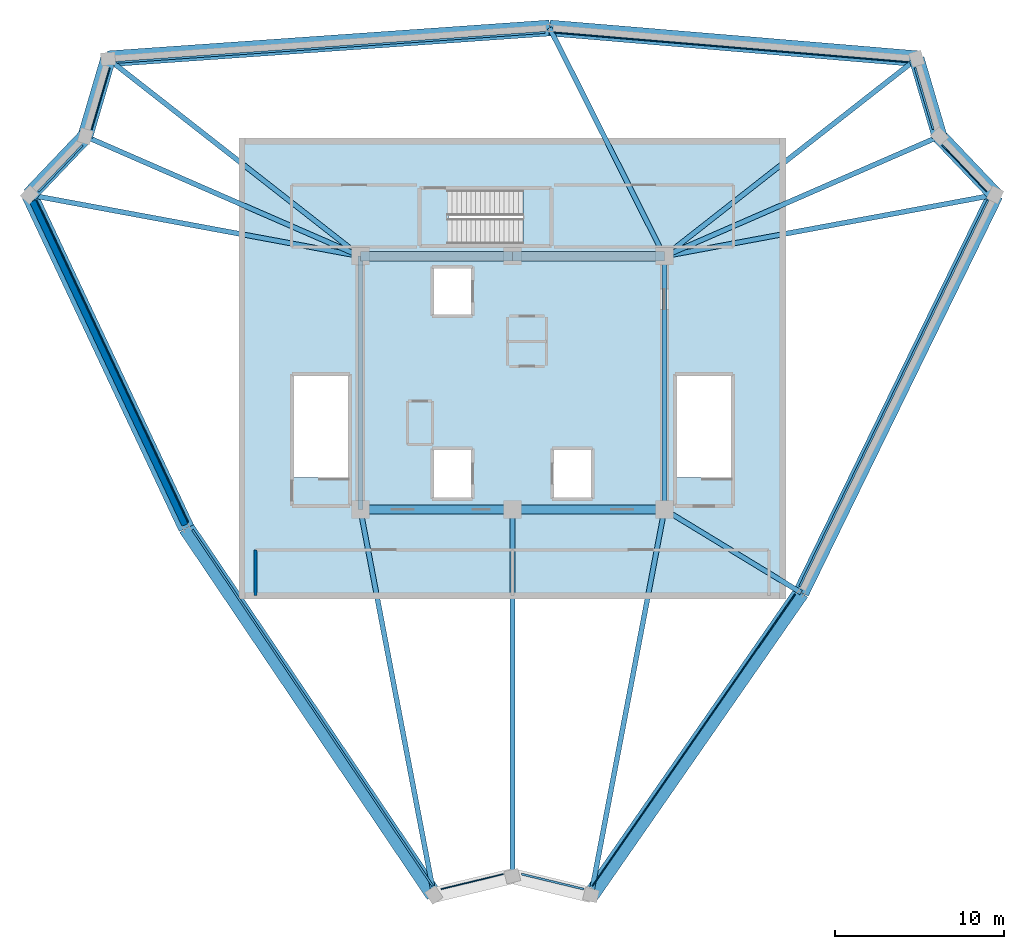
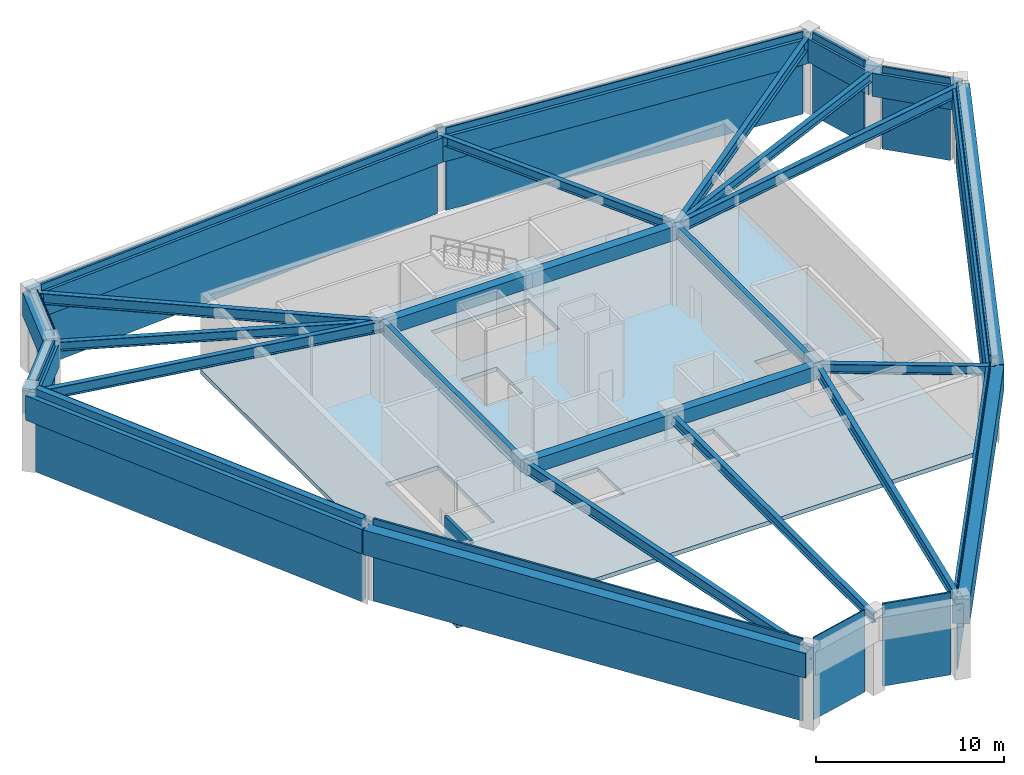
# One storey, part 3 of 6: 27 beams, 12 plates, 2 slabs, 2 walls, 1 element without a shape of its own.
"""IFC4 building model written with IfcOpenShell, lengths in metres."""

from ifc_helpers import new_model, si_unit, direction, frame, frame_2d, origin, origin_2d, place, context, subcontext, project, spatial, polyline, rectangle, i_section, outline, extrude, source, transform, mapped, material, layer, layer_set, material_profile, profile_set, type_object, element, aggregate, save


model = new_model("IFC4")

# Units and contexts
model_context = context("Model", 3, precision=1e-05, world=origin(), true_north=direction((0.0, 1.0)))
body_context = subcontext(model_context, "Body", "Model", "MODEL_VIEW")
ifc_project = project(units=[si_unit("LENGTHUNIT", "METRE"), si_unit("AREAUNIT", "SQUARE_METRE"), si_unit("VOLUMEUNIT", "CUBIC_METRE"), si_unit("PLANEANGLEUNIT", "RADIAN"), si_unit("MASSUNIT", "GRAM", prefix="KILO")], contexts=[model_context])

# Site, building, storey
site_placement = place(None, origin())
site = spatial("IfcSite", under=ifc_project, at=site_placement, CompositionType="ELEMENT")
building_placement = place(site_placement, origin())
building = spatial("IfcBuilding", under=site, at=building_placement, Name="Liaohun Quay Tower", CompositionType="ELEMENT")
storey_placement = place(building_placement, frame((0.0, 0.0, 366.0)))
storey = spatial("IfcBuildingStorey", under=building, at=storey_placement, Name="L94", CompositionType="ELEMENT", Elevation=366.0)

# Beams
ifc_material_1 = material(Name="Steel Q355D", Category="steel")
ifc_material_profile_1 = material_profile(ifc_material_1, i_section(OverallWidth=0.300048828125, OverallDepth=0.800048828125, WebThickness=0.013916015625, FlangeThickness=0.02587890625, at=origin_2d()), Name="HN800x300x14x26")
ifc_profile_set_1 = profile_set([ifc_material_profile_1], Name="Steel Q355D")
beam_type_1 = type_object("IfcBeamType", Name="BM-RAD-M1", PredefinedType="BEAM", material=ifc_profile_set_1)
shared_shape_1 = source(origin(), body_context, "Body", "SweptSolid", [
    extrude(i_section(OverallWidth=0.300048828125, OverallDepth=0.800048828125, WebThickness=0.013916015625, FlangeThickness=0.02587890625, at=origin_2d()), origin(), (0.0, 0.0, 1.0), 15.0),
])
for number, where, z_axis, x_axis, name in (
    (1, (69.0, 46.5, 4.550048828125), (0.0, 1.0, 0.0), (-1.0, 0.0, 0.0), "L94 Core Coupling/Ring Beam CC3-CC4"),
    (2, (51.0, 61.5, 4.550048828125), (0.0, -1.0, 0.0), (1.0, 0.0, 0.0), "L94 Core Coupling/Ring Beam CC6-CC1"),
):
    element("IfcBeam", number, at=place(storey_placement, frame(where, z_axis=z_axis, x_axis=x_axis)), inside=storey, type_object=beam_type_1, Name=name, PredefinedType="BEAM", context=body_context, shape_type="MappedRepresentation", body=[
        mapped(shared_shape_1, transform((0.0, 0.0, 0.0), x_axis=(1.0, 0.0, 0.0), y_axis=(0.0, 1.0, 0.0), z_axis=(0.0, 0.0, 1.0), scale=1.0)),
    ])
ifc_material_2 = material(Name="Concrete C55", Category="concrete")
ifc_material_profile_2 = material_profile(ifc_material_2, rectangle(XDim=0.550048828125, YDim=0.89990234375, at=origin_2d()), Name="RC550x900")
ifc_profile_set_2 = profile_set([ifc_material_profile_2], Name="Concrete C55")
beam_type_2 = type_object("IfcBeamType", Name="BM-CPL-2", PredefinedType="LINTEL", material=ifc_profile_set_2)
shared_shape_2 = source(origin(), body_context, "Body", "SweptSolid", [
    extrude(rectangle(XDim=0.550048828125, YDim=0.89990234375, at=origin_2d()), origin(), (0.0, 0.0, 1.0), 9.0),
])
for number, where, z_axis, x_axis, name in (
    (3, (51.0, 46.5, 4.5), (1.0, 0.0, 0.0), (0.0, 1.0, 0.0), "L94 Core Coupling/Ring Beam CC1-CC2"),
    (4, (60.0, 46.5, 4.5), (1.0, 0.0, 0.0), (0.0, 1.0, 0.0), "L94 Core Coupling/Ring Beam CC2-CC3"),
    (5, (69.0, 61.5, 4.5), (-1.0, 0.0, 0.0), (0.0, -1.0, 0.0), "L94 Core Coupling/Ring Beam CC4-CC5"),
    (6, (60.0, 61.5, 4.5), (-1.0, 0.0, 0.0), (0.0, -1.0, 0.0), "L94 Core Coupling/Ring Beam CC5-CC6"),
):
    element("IfcBeam", number, at=place(storey_placement, frame(where, z_axis=z_axis, x_axis=x_axis)), inside=storey, type_object=beam_type_2, Name=name, PredefinedType="LINTEL", context=body_context, shape_type="MappedRepresentation", body=[
        mapped(shared_shape_2, transform((0.0, 0.0, 0.0), x_axis=(1.0, 0.0, 0.0), y_axis=(0.0, 1.0, 0.0), z_axis=(0.0, 0.0, 1.0), scale=1.0)),
    ])
ifc_material_profile_3 = material_profile(ifc_material_2, rectangle(XDim=0.949951171875, YDim=1.60009765625, at=origin_2d()), Name="RC950x1600")
ifc_profile_set_3 = profile_set([ifc_material_profile_3], Name="Concrete C55")
beam_type_3 = type_object("IfcBeamType", Name="BM-CAN-LNG", PredefinedType="SPANDREL", material=ifc_profile_set_3)
shared_shape_3 = source(origin(), body_context, "Body", "SweptSolid", [
    extrude(rectangle(XDim=0.949951171875, YDim=1.60009765625, at=origin_2d()), origin(), (0.0, 0.0, 1.0), 26.20751953125),
])
beam_1_placement = place(storey_placement, frame((55.35400390625, 23.677978515625, 4.14990234375), z_axis=(-0.559191552836, 0.829038483568, 0.0), x_axis=(-0.829038483568, -0.559191552836, 0.0)))
element("IfcBeam", 7, at=beam_1_placement, inside=storey, type_object=beam_type_3, Name="L94 Precast Spandrel Beam PC01-PC02", PredefinedType="SPANDREL", context=body_context, shape_type="MappedRepresentation", body=[
    mapped(shared_shape_3, transform((0.0, 0.0, 0.0), x_axis=(1.0, 0.0, 0.0), y_axis=(0.0, 1.0, 0.0), z_axis=(0.0, 0.0, 1.0), scale=1.0)),
])
shared_shape_4 = source(origin(), body_context, "Body", "SweptSolid", [
    extrude(rectangle(XDim=0.949951171875, YDim=1.60009765625, at=origin_2d()), origin(), (0.0, 0.0, 1.0), 21.803466796875),
])
beam_2_placement = place(storey_placement, frame((40.698974609375, 45.405029296875, 4.14990234375), z_axis=(-0.425993313614, 0.904726310414, 0.0), x_axis=(-0.904726310414, -0.425993313614, 0.0)))
element("IfcBeam", 8, at=beam_2_placement, inside=storey, type_object=beam_type_3, Name="L94 Precast Spandrel Beam PC02-PC03", PredefinedType="SPANDREL", context=body_context, shape_type="MappedRepresentation", body=[
    mapped(shared_shape_4, transform((0.0, 0.0, 0.0), x_axis=(1.0, 0.0, 0.0), y_axis=(0.0, 1.0, 0.0), z_axis=(0.0, 0.0, 1.0), scale=1.0)),
])
ifc_material_profile_4 = material_profile(ifc_material_2, rectangle(XDim=0.89990234375, YDim=1.5, at=origin_2d()), Name="RC900x1500")
ifc_profile_set_4 = profile_set([ifc_material_profile_4], Name="Concrete C55")
beam_type_4 = type_object("IfcBeamType", Name="BM-CAN-RING", PredefinedType="BEAM", material=ifc_profile_set_4)
shared_shape_5 = source(origin(), body_context, "Body", "SweptSolid", [
    extrude(rectangle(XDim=0.89990234375, YDim=1.5, at=origin_2d()), origin(), (0.0, 0.0, 1.0), 4.78857421875),
])
beam_3_placement = place(storey_placement, frame((31.410888671875, 65.131103515625, 4.199951171875), z_axis=(0.689350846043, 0.724427643771, 0.0), x_axis=(-0.724427643771, 0.689350846043, 0.0)))
element("IfcBeam", 9, at=beam_3_placement, inside=storey, type_object=beam_type_4, Name="L94 Precast Spandrel Beam PC03-PC04", PredefinedType="BEAM", context=body_context, shape_type="MappedRepresentation", body=[
    mapped(shared_shape_5, transform((0.0, 0.0, 0.0), x_axis=(1.0, 0.0, 0.0), y_axis=(0.0, 1.0, 0.0), z_axis=(0.0, 0.0, 1.0), scale=1.0)),
])
shared_shape_6 = source(origin(), body_context, "Body", "SweptSolid", [
    extrude(rectangle(XDim=0.89990234375, YDim=1.5, at=origin_2d()), origin(), (0.0, 0.0, 1.0), 4.77978515625),
])
beam_4_placement = place(storey_placement, frame((34.7119140625, 68.60009765625, 4.199951171875), z_axis=(0.282658510174, 0.959220603733, 0.0), x_axis=(-0.959220603733, 0.282658510174, 0.0)))
element("IfcBeam", 10, at=beam_4_placement, inside=storey, type_object=beam_type_4, Name="L94 Precast Spandrel Beam PC04-PC05", PredefinedType="BEAM", context=body_context, shape_type="MappedRepresentation", body=[
    mapped(shared_shape_6, transform((0.0, 0.0, 0.0), x_axis=(1.0, 0.0, 0.0), y_axis=(0.0, 1.0, 0.0), z_axis=(0.0, 0.0, 1.0), scale=1.0)),
])
shared_shape_7 = source(origin(), body_context, "Body", "SweptSolid", [
    extrude(rectangle(XDim=0.949951171875, YDim=1.60009765625, at=origin_2d()), origin(), (0.0, 0.0, 1.0), 26.207763671875),
])
beam_5_placement = place(storey_placement, frame((36.06298828125, 73.18505859375, 4.14990234375), z_axis=(0.997564816794, 0.069745510929, 0.0), x_axis=(-0.069745510929, 0.997564816794, 0.0)))
element("IfcBeam", 11, at=beam_5_placement, inside=storey, type_object=beam_type_3, Name="L94 Precast Spandrel Beam PC05-PC06", PredefinedType="SPANDREL", context=body_context, shape_type="MappedRepresentation", body=[
    mapped(shared_shape_7, transform((0.0, 0.0, 0.0), x_axis=(1.0, 0.0, 0.0), y_axis=(0.0, 1.0, 0.0), z_axis=(0.0, 0.0, 1.0), scale=1.0)),
])
shared_shape_8 = source(origin(), body_context, "Body", "SweptSolid", [
    extrude(rectangle(XDim=0.949951171875, YDim=1.60009765625, at=origin_2d()), origin(), (0.0, 0.0, 1.0), 21.802978515625),
])
beam_6_placement = place(storey_placement, frame((62.20703125, 75.012939453125, 4.14990234375), z_axis=(0.996514334096, -0.083421711453, 0.0), x_axis=(0.083421711453, 0.996514334096, 0.0)))
element("IfcBeam", 12, at=beam_6_placement, inside=storey, type_object=beam_type_3, Name="L94 Precast Spandrel Beam PC06-PC07", PredefinedType="SPANDREL", context=body_context, shape_type="MappedRepresentation", body=[
    mapped(shared_shape_8, transform((0.0, 0.0, 0.0), x_axis=(1.0, 0.0, 0.0), y_axis=(0.0, 1.0, 0.0), z_axis=(0.0, 0.0, 1.0), scale=1.0)),
])
shared_shape_9 = source(origin(), body_context, "Body", "SweptSolid", [
    extrude(rectangle(XDim=0.89990234375, YDim=1.5, at=origin_2d()), origin(), (0.0, 0.0, 1.0), 4.789306640625),
])
beam_7_placement = place(storey_placement, frame((83.93408203125, 73.194091796875, 4.199951171875), z_axis=(0.282709962926, -0.959205440384, 0.0), x_axis=(0.959205440384, 0.282709962926, 0.0)))
element("IfcBeam", 13, at=beam_7_placement, inside=storey, type_object=beam_type_4, Name="L94 Precast Spandrel Beam PC07-PC08", PredefinedType="BEAM", context=body_context, shape_type="MappedRepresentation", body=[
    mapped(shared_shape_9, transform((0.0, 0.0, 0.0), x_axis=(1.0, 0.0, 0.0), y_axis=(0.0, 1.0, 0.0), z_axis=(0.0, 0.0, 1.0), scale=1.0)),
])
shared_shape_10 = source(origin(), body_context, "Body", "SweptSolid", [
    extrude(rectangle(XDim=0.89990234375, YDim=1.5, at=origin_2d()), origin(), (0.0, 0.0, 1.0), 4.780029296875),
])
beam_8_placement = place(storey_placement, frame((85.2880859375, 68.60009765625, 4.199951171875), z_axis=(0.689292892883, -0.724482786422, 0.0), x_axis=(0.724482786422, 0.689292892883, 0.0)))
element("IfcBeam", 14, at=beam_8_placement, inside=storey, type_object=beam_type_4, Name="L94 Precast Spandrel Beam PC08-PC09", PredefinedType="BEAM", context=body_context, shape_type="MappedRepresentation", body=[
    mapped(shared_shape_10, transform((0.0, 0.0, 0.0), x_axis=(1.0, 0.0, 0.0), y_axis=(0.0, 1.0, 0.0), z_axis=(0.0, 0.0, 1.0), scale=1.0)),
])
shared_shape_11 = source(origin(), body_context, "Body", "SweptSolid", [
    extrude(rectangle(XDim=0.949951171875, YDim=1.60009765625, at=origin_2d()), origin(), (0.0, 0.0, 1.0), 26.20703125),
])
beam_9_placement = place(storey_placement, frame((88.5830078125, 65.136962890625, 4.14990234375), z_axis=(-0.438356638262, -0.898801122435, 0.0), x_axis=(0.898801122435, -0.438356638262, 0.0)))
element("IfcBeam", 15, at=beam_9_placement, inside=storey, type_object=beam_type_3, Name="L94 Precast Spandrel Beam PC09-PC10", PredefinedType="SPANDREL", context=body_context, shape_type="MappedRepresentation", body=[
    mapped(shared_shape_11, transform((0.0, 0.0, 0.0), x_axis=(1.0, 0.0, 0.0), y_axis=(0.0, 1.0, 0.0), z_axis=(0.0, 0.0, 1.0), scale=1.0)),
])
shared_shape_12 = source(origin(), body_context, "Body", "SweptSolid", [
    extrude(rectangle(XDim=0.949951171875, YDim=1.60009765625, at=origin_2d()), origin(), (0.0, 0.0, 1.0), 21.80322265625),
])
beam_10_placement = place(storey_placement, frame((77.094970703125, 41.58203125, 4.14990234375), z_axis=(-0.570557168324, -0.821257887435, 0.0), x_axis=(0.821257887435, -0.570557168324, 0.0)))
element("IfcBeam", 16, at=beam_10_placement, inside=storey, type_object=beam_type_3, Name="L94 Precast Spandrel Beam PC10-PC11", PredefinedType="SPANDREL", context=body_context, shape_type="MappedRepresentation", body=[
    mapped(shared_shape_12, transform((0.0, 0.0, 0.0), x_axis=(1.0, 0.0, 0.0), y_axis=(0.0, 1.0, 0.0), z_axis=(0.0, 0.0, 1.0), scale=1.0)),
])
ifc_material_profile_5 = material_profile(ifc_material_1, i_section(OverallWidth=0.300048828125, OverallDepth=0.699951171875, WebThickness=0.012939453125, FlangeThickness=0.02392578125, at=origin_2d()), Name="HN700x300x13x24")
ifc_profile_set_5 = profile_set([ifc_material_profile_5], Name="Steel Q355D")
beam_type_5 = type_object("IfcBeamType", Name="BM-RAD-U1", PredefinedType="BEAM", material=ifc_profile_set_5)
shared_shape_13 = source(origin(), body_context, "Body", "SweptSolid", [
    extrude(i_section(OverallWidth=0.300048828125, OverallDepth=0.699951171875, WebThickness=0.012939453125, FlangeThickness=0.02392578125, at=origin_2d()), origin(), (0.0, 0.0, 1.0), 23.233642578125),
])
beam_11_placement = place(storey_placement, frame((51.0, 46.5, 4.60009765625), z_axis=(0.187400853189, -0.982283523339, 0.0), x_axis=(0.982283523339, 0.187400853189, 0.0)))
element("IfcBeam", 17, at=beam_11_placement, inside=storey, type_object=beam_type_5, Name="L94 Radial Primary Girder CC1-PC01", PredefinedType="BEAM", context=body_context, shape_type="MappedRepresentation", body=[
    mapped(shared_shape_13, transform((0.0, 0.0, 0.0), x_axis=(1.0, 0.0, 0.0), y_axis=(0.0, 1.0, 0.0), z_axis=(0.0, 0.0, 1.0), scale=1.0)),
])
shared_shape_14 = source(origin(), body_context, "Body", "SweptSolid", [
    extrude(i_section(OverallWidth=0.300048828125, OverallDepth=0.699951171875, WebThickness=0.012939453125, FlangeThickness=0.02392578125, at=origin_2d()), origin(), (0.0, 0.0, 1.0), 19.9228515625),
])
beam_12_placement = place(storey_placement, frame((51.0, 61.5, 4.60009765625), z_axis=(-0.983250623213, 0.182258640266, 0.0), x_axis=(-0.182258640266, -0.983250623213, 0.0)))
element("IfcBeam", 18, at=beam_12_placement, inside=storey, type_object=beam_type_5, Name="L94 Radial Primary Girder CC6-PC03", PredefinedType="BEAM", context=body_context, shape_type="MappedRepresentation", body=[
    mapped(shared_shape_14, transform((0.0, 0.0, 0.0), x_axis=(1.0, 0.0, 0.0), y_axis=(0.0, 1.0, 0.0), z_axis=(0.0, 0.0, 1.0), scale=1.0)),
])
ifc_material_profile_6 = material_profile(ifc_material_1, i_section(OverallWidth=0.300048828125, OverallDepth=0.587890625, WebThickness=0.011962890625, FlangeThickness=0.02001953125, at=origin_2d()), Name="HM588x300x12x20")
ifc_profile_set_6 = profile_set([ifc_material_profile_6], Name="Steel Q355D")
beam_type_6 = type_object("IfcBeamType", Name="BM-RAD-U2", PredefinedType="BEAM", material=ifc_profile_set_6)
shared_shape_15 = source(origin(), body_context, "Body", "SweptSolid", [
    extrude(i_section(OverallWidth=0.300048828125, OverallDepth=0.587890625, WebThickness=0.011962890625, FlangeThickness=0.02001953125, at=origin_2d()), origin(), (0.0, 0.0, 1.0), 17.768310546875),
])
for number, where, z_axis, x_axis, name in (
    (19, (51.0, 61.5, 4.656005859375), (-0.916692609329, 0.39959311806, 0.0), (-0.39959311806, -0.916692609329, 0.0), "L94 Radial Primary Girder CC6-PC04"),
    (20, (69.0, 61.5, 4.656005859375), (0.916692609329, 0.39959311806, 0.0), (-0.39959311806, 0.916692609329, 0.0), "L94 Radial Primary Girder CC4-PC08"),
):
    element("IfcBeam", number, at=place(storey_placement, frame(where, z_axis=z_axis, x_axis=x_axis)), inside=storey, type_object=beam_type_6, Name=name, PredefinedType="BEAM", context=body_context, shape_type="MappedRepresentation", body=[
        mapped(shared_shape_15, transform((0.0, 0.0, 0.0), x_axis=(1.0, 0.0, 0.0), y_axis=(0.0, 1.0, 0.0), z_axis=(0.0, 0.0, 1.0), scale=1.0)),
    ])
shared_shape_16 = source(origin(), body_context, "Body", "SweptSolid", [
    extrude(i_section(OverallWidth=0.300048828125, OverallDepth=0.699951171875, WebThickness=0.012939453125, FlangeThickness=0.02392578125, at=origin_2d()), origin(), (0.0, 0.0, 1.0), 18.964599609375),
])
beam_13_placement = place(storey_placement, frame((51.0, 61.5, 4.60009765625), z_axis=(-0.787627231061, 0.616152046894, 0.0), x_axis=(-0.616152046894, -0.787627231061, 0.0)))
element("IfcBeam", 21, at=beam_13_placement, inside=storey, type_object=beam_type_5, Name="L94 Radial Primary Girder CC6-PC05", PredefinedType="BEAM", context=body_context, shape_type="MappedRepresentation", body=[
    mapped(shared_shape_16, transform((0.0, 0.0, 0.0), x_axis=(1.0, 0.0, 0.0), y_axis=(0.0, 1.0, 0.0), z_axis=(0.0, 0.0, 1.0), scale=1.0)),
])
shared_shape_17 = source(origin(), body_context, "Body", "SweptSolid", [
    extrude(i_section(OverallWidth=0.300048828125, OverallDepth=0.587890625, WebThickness=0.011962890625, FlangeThickness=0.02001953125, at=origin_2d()), origin(), (0.0, 0.0, 1.0), 15.124267578125),
])
beam_14_placement = place(storey_placement, frame((69.0, 61.5, 4.656005859375), z_axis=(-0.449143171983, 0.893459798234, 0.0), x_axis=(-0.893459798234, -0.449143171983, 0.0)))
element("IfcBeam", 22, at=beam_14_placement, inside=storey, type_object=beam_type_6, Name="L94 Radial Primary Girder CC4-PC06", PredefinedType="BEAM", context=body_context, shape_type="MappedRepresentation", body=[
    mapped(shared_shape_17, transform((0.0, 0.0, 0.0), x_axis=(1.0, 0.0, 0.0), y_axis=(0.0, 1.0, 0.0), z_axis=(0.0, 0.0, 1.0), scale=1.0)),
])
shared_shape_18 = source(origin(), body_context, "Body", "SweptSolid", [
    extrude(i_section(OverallWidth=0.300048828125, OverallDepth=0.699951171875, WebThickness=0.012939453125, FlangeThickness=0.02392578125, at=origin_2d()), origin(), (0.0, 0.0, 1.0), 18.9677734375),
])
beam_15_placement = place(storey_placement, frame((69.0, 61.5, 4.60009765625), z_axis=(0.787337388481, 0.616522373236, 0.0), x_axis=(-0.616522373236, 0.787337388481, 0.0)))
element("IfcBeam", 23, at=beam_15_placement, inside=storey, type_object=beam_type_5, Name="L94 Radial Primary Girder CC4-PC07", PredefinedType="BEAM", context=body_context, shape_type="MappedRepresentation", body=[
    mapped(shared_shape_18, transform((0.0, 0.0, 0.0), x_axis=(1.0, 0.0, 0.0), y_axis=(0.0, 1.0, 0.0), z_axis=(0.0, 0.0, 1.0), scale=1.0)),
])
shared_shape_19 = source(origin(), body_context, "Body", "SweptSolid", [
    extrude(i_section(OverallWidth=0.300048828125, OverallDepth=0.699951171875, WebThickness=0.012939453125, FlangeThickness=0.02392578125, at=origin_2d()), origin(), (0.0, 0.0, 1.0), 19.91796875),
])
beam_16_placement = place(storey_placement, frame((69.0, 61.5, 4.60009765625), z_axis=(0.983187667258, 0.182597948925, 0.0), x_axis=(-0.182597948925, 0.983187667258, 0.0)))
element("IfcBeam", 24, at=beam_16_placement, inside=storey, type_object=beam_type_5, Name="L94 Radial Primary Girder CC4-PC09", PredefinedType="BEAM", context=body_context, shape_type="MappedRepresentation", body=[
    mapped(shared_shape_19, transform((0.0, 0.0, 0.0), x_axis=(1.0, 0.0, 0.0), y_axis=(0.0, 1.0, 0.0), z_axis=(0.0, 0.0, 1.0), scale=1.0)),
])
shared_shape_20 = source(origin(), body_context, "Body", "SweptSolid", [
    extrude(i_section(OverallWidth=0.300048828125, OverallDepth=0.587890625, WebThickness=0.011962890625, FlangeThickness=0.02001953125, at=origin_2d()), origin(), (0.0, 0.0, 1.0), 9.4716796875),
])
beam_17_placement = place(storey_placement, frame((69.0, 46.5, 4.656005859375), z_axis=(0.854639241028, -0.519222271956, 0.0), x_axis=(0.519222271956, 0.854639241028, 0.0)))
element("IfcBeam", 25, at=beam_17_placement, inside=storey, type_object=beam_type_6, Name="L94 Radial Primary Girder CC3-PC10", PredefinedType="BEAM", context=body_context, shape_type="MappedRepresentation", body=[
    mapped(shared_shape_20, transform((0.0, 0.0, 0.0), x_axis=(1.0, 0.0, 0.0), y_axis=(0.0, 1.0, 0.0), z_axis=(0.0, 0.0, 1.0), scale=1.0)),
])
shared_shape_21 = source(origin(), body_context, "Body", "SweptSolid", [
    extrude(i_section(OverallWidth=0.300048828125, OverallDepth=0.699951171875, WebThickness=0.012939453125, FlangeThickness=0.02392578125, at=origin_2d()), origin(), (0.0, 0.0, 1.0), 23.23388671875),
])
beam_18_placement = place(storey_placement, frame((69.0, 46.5, 4.60009765625), z_axis=(-0.187010223327, -0.982357967531, 0.0), x_axis=(0.982357967531, -0.187010223327, 0.0)))
element("IfcBeam", 26, at=beam_18_placement, inside=storey, type_object=beam_type_5, Name="L94 Radial Primary Girder CC3-PC11", PredefinedType="BEAM", context=body_context, shape_type="MappedRepresentation", body=[
    mapped(shared_shape_21, transform((0.0, 0.0, 0.0), x_axis=(1.0, 0.0, 0.0), y_axis=(0.0, 1.0, 0.0), z_axis=(0.0, 0.0, 1.0), scale=1.0)),
])
shared_shape_22 = source(origin(), body_context, "Body", "SweptSolid", [
    extrude(i_section(OverallWidth=0.300048828125, OverallDepth=0.587890625, WebThickness=0.011962890625, FlangeThickness=0.02001953125, at=origin_2d()), origin(), (0.0, 0.0, 1.0), 21.700927734375),
])
beam_19_placement = place(storey_placement, frame((60.0, 46.5, 4.656005859375), z_axis=(0.0, -1.0, 0.0), x_axis=(1.0, 0.0, 0.0)))
element("IfcBeam", 27, at=beam_19_placement, inside=storey, type_object=beam_type_6, Name="L94 Radial Primary Girder CC2-PC12", PredefinedType="BEAM", context=body_context, shape_type="MappedRepresentation", body=[
    mapped(shared_shape_22, transform((0.0, 0.0, 0.0), x_axis=(1.0, 0.0, 0.0), y_axis=(0.0, 1.0, 0.0), z_axis=(0.0, 0.0, 1.0), scale=1.0)),
])

# Stair, slab
ifc_material_3 = material(Name="Concrete C45", Category="concrete")
stair_type = type_object("IfcStairType", Name="STR-CORE-CRN", PredefinedType="HALF_TURN_STAIR", material=ifc_material_3)
stair_placement = place(storey_placement, origin())
stair = element("IfcStair", 28, at=stair_placement, inside=storey, type_object=stair_type, Name="L94 Smokeproof Core Exit Stair ST-3", PredefinedType="HALF_TURN_STAIR")
ifc_layer_1 = layer(ifc_material_3, 0.199951171875, Name="Concrete C45", Category="concrete")
ifc_layer_set_1 = layer_set([ifc_layer_1], Name="Concrete C45")
slab_type_1 = type_object("IfcSlabType", Name="SLB-LND-200", PredefinedType="LANDING", material=ifc_layer_set_1)
slab_1_placement = place(storey_placement, frame((0.0, 0.0, 2.5)))
slab_1 = element("IfcSlab", 29, at=slab_1_placement, type_object=slab_type_1, Name="ST-3 landing 1", PredefinedType="LANDING", context=body_context, shape_type="SweptSolid", body=[
    extrude(outline(polyline([(60.6298828125, 62.199951171875), (62.219970703125, 62.199951171875), (62.219970703125, 65.43994140625), (60.6298828125, 65.43994140625), (60.6298828125, 62.199951171875)])), origin(), (0.0, 0.0, 1.0), 0.199951171875),
])
aggregate(stair, [slab_1])

# Slab
ifc_material_4 = material(Name="Concrete C50", Category="concrete")
ifc_layer_2 = layer(ifc_material_4, 0.280029296875, Name="Concrete C50", Category="concrete")
ifc_layer_set_2 = layer_set([ifc_layer_2], Name="Concrete C50")
slab_type_2 = type_object("IfcSlabType", Name="SLB-REF-280", PredefinedType="FLOOR", material=ifc_layer_set_2)
slab_2_placement = place(storey_placement, frame((0.0, 0.0, -0.280029296875)))
element("IfcSlab", 30, at=slab_2_placement, inside=storey, type_object=slab_type_2, Name="L94 Upper Crown Mechanical Floor Slab", PredefinedType="FLOOR", context=body_context, shape_type="SweptSolid", body=[
    extrude(outline(polyline([(43.800048828125, 41.199951171875), (76.199951171875, 41.199951171875), (76.199951171875, 68.5), (43.800048828125, 68.5), (43.800048828125, 41.199951171875)]), holes=[polyline([(55.340087890625, 50.030029296875), (55.340087890625, 47.2099609375), (57.56005859375, 47.2099609375), (57.56005859375, 50.030029296875), (55.340087890625, 50.030029296875)]), polyline([(64.659912109375, 50.030029296875), (62.43994140625, 50.030029296875), (62.43994140625, 47.2099609375), (64.659912109375, 47.2099609375), (64.659912109375, 50.030029296875)]), polyline([(47.0400390625, 54.419921875), (47.0400390625, 48.409912109375), (50.280029296875, 48.409912109375), (50.280029296875, 54.419921875), (47.0400390625, 54.419921875)]), polyline([(69.719970703125, 48.409912109375), (72.9599609375, 48.409912109375), (72.9599609375, 54.419921875), (69.719970703125, 54.419921875), (69.719970703125, 48.409912109375)]), polyline([(57.56005859375, 60.7900390625), (55.340087890625, 60.7900390625), (55.340087890625, 58.0400390625), (57.56005859375, 58.0400390625), (57.56005859375, 60.7900390625)]), polyline([(62.219970703125, 65.43994140625), (56.2099609375, 65.43994140625), (56.2099609375, 62.199951171875), (62.219970703125, 62.199951171875), (62.219970703125, 65.43994140625)])]), origin(), (0.0, 0.0, 1.0), 0.280029296875),
])

# Plates
ifc_material_5 = material(Name="Precast concrete C50 bush-hammered spandrel plate", Category="concrete")
ifc_layer_3 = layer(ifc_material_5, 0.1201171875, Name="Precast concrete C50 bush-hammered spandrel plate", Category="concrete")
ifc_layer_set_3 = layer_set([ifc_layer_3], Name="Precast concrete C50 bush-hammered spandrel plate")
plate_type_1 = type_object("IfcPlateType", Name="PLT-PRC-CLAD", PredefinedType="USERDEFINED", material=ifc_layer_set_3)
shared_shape_23 = source(origin(), body_context, "Body", "SweptSolid", [
    extrude(rectangle(XDim=3.800048828125, YDim=0.1201171875, at=origin_2d()), origin(), (0.0, 0.0, 1.0), 5.360107421875),
])
for number, where, z_axis, x_axis, name in (
    (31, (62.384033203125, 24.470947265625, 0.0), (0.0, 0.0, 1.0), (0.972083987461, -0.234633163303, 0.0), "L94 Crown Brutalist Cladding Fascia 01"),
    (32, (84.381103515625, 70.8291015625, 0.0), (0.0, 0.0, 1.0), (-0.28284371374, 0.959166009405, 0.0), "L94 Crown Brutalist Cladding Fascia 05"),
):
    element("IfcPlate", number, at=place(storey_placement, frame(where, z_axis=z_axis, x_axis=x_axis)), inside=storey, type_object=plate_type_1, Name=name, ObjectType="CLADDING PLATE", PredefinedType="USERDEFINED", context=body_context, shape_type="MappedRepresentation", body=[
        mapped(shared_shape_23, transform((0.0, 0.0, 0.0), x_axis=(1.0, 0.0, 0.0), y_axis=(0.0, 1.0, 0.0), z_axis=(0.0, 0.0, 1.0), scale=1.0)),
    ])
ifc_material_6 = material(Name="Insulated anodised aluminium spandrel cassette", Category="aluminium")
ifc_layer_4 = layer(ifc_material_6, 0.06005859375, Name="Insulated anodised aluminium spandrel cassette", Category="aluminium")
ifc_layer_set_4 = layer_set([ifc_layer_4], Name="Insulated anodised aluminium spandrel cassette")
plate_type_2 = type_object("IfcPlateType", Name="PLT-CWP-SPD", PredefinedType="SHEET", material=ifc_layer_set_4)
shared_shape_24 = source(origin(), body_context, "Body", "SweptSolid", [
    extrude(rectangle(XDim=21.02392578125, YDim=0.06005859375, at=origin_2d()), origin(), (0.0, 0.0, 1.0), 5.360107421875),
])
for number, where, z_axis, x_axis, name in (
    (33, (70.738037109375, 32.85205078125, 0.0), (0.0, 0.0, 1.0), (0.570570241419, 0.821248804935, 0.0), "L94 Crown Brutalist Cladding Fascia 02"),
    (34, (72.945068359375, 73.873046875, 0.0), (0.0, 0.0, 1.0), (-0.996522007617, 0.083329996614, 0.0), "L94 Crown Brutalist Cladding Fascia 06"),
    (35, (36.31689453125, 55.27490234375, 0.0), (0.0, 0.0, 1.0), (0.425937207192, -0.90475272618, 0.0), "L94 Crown Brutalist Cladding Fascia 10"),
):
    element("IfcPlate", number, at=place(storey_placement, frame(where, z_axis=z_axis, x_axis=x_axis)), inside=storey, type_object=plate_type_2, Name=name, PredefinedType="SHEET", context=body_context, shape_type="MappedRepresentation", body=[
        mapped(shared_shape_24, transform((0.0, 0.0, 0.0), x_axis=(1.0, 0.0, 0.0), y_axis=(0.0, 1.0, 0.0), z_axis=(0.0, 0.0, 1.0), scale=1.0)),
    ])
shared_shape_25 = source(origin(), body_context, "Body", "SweptSolid", [
    extrude(rectangle(XDim=25.428955078125, YDim=0.1201171875, at=origin_2d()), origin(), (0.0, 0.0, 1.0), 5.360107421875),
])
for number, where, z_axis, x_axis, name in (
    (36, (82.576904296875, 53.3701171875, 0.0), (0.0, 0.0, 1.0), (0.438371146789, 0.898794046299, 0.0), "L94 Crown Brutalist Cladding Fascia 03"),
    (37, (48.166015625, 34.762939453125, 0.0), (0.0, 0.0, 1.0), (0.559192903471, -0.829037572555, 0.0), "L94 Crown Brutalist Cladding Fascia 11"),
):
    element("IfcPlate", number, at=place(storey_placement, frame(where, z_axis=z_axis, x_axis=x_axis)), inside=storey, type_object=plate_type_1, Name=name, ObjectType="CLADDING PLATE", PredefinedType="USERDEFINED", context=body_context, shape_type="MappedRepresentation", body=[
        mapped(shared_shape_25, transform((0.0, 0.0, 0.0), x_axis=(1.0, 0.0, 0.0), y_axis=(0.0, 1.0, 0.0), z_axis=(0.0, 0.0, 1.0), scale=1.0)),
    ])
shared_shape_26 = source(origin(), body_context, "Body", "SweptSolid", [
    extrude(rectangle(XDim=3.7900390625, YDim=0.06005859375, at=origin_2d()), origin(), (0.0, 0.0, 1.0), 5.360107421875),
])
for number, where, z_axis, x_axis, name in (
    (38, (86.761962890625, 66.702880859375, 0.0), (0.0, 0.0, 1.0), (-0.68936671806, 0.724412539946, 0.0), "L94 Crown Brutalist Cladding Fascia 04"),
    (39, (35.617919921875, 70.824951171875, 0.0), (0.0, 0.0, 1.0), (-0.28284371374, -0.959166009405, 0.0), "L94 Crown Brutalist Cladding Fascia 08"),
    (40, (57.62109375, 24.471923828125, 0.0), (0.0, 0.0, 1.0), (0.972083987461, 0.234633163303, 0.0), "L94 Crown Brutalist Cladding Fascia 12"),
):
    element("IfcPlate", number, at=place(storey_placement, frame(where, z_axis=z_axis, x_axis=x_axis)), inside=storey, type_object=plate_type_2, Name=name, PredefinedType="SHEET", context=body_context, shape_type="MappedRepresentation", body=[
        mapped(shared_shape_26, transform((0.0, 0.0, 0.0), x_axis=(1.0, 0.0, 0.0), y_axis=(0.0, 1.0, 0.0), z_axis=(0.0, 0.0, 1.0), scale=1.0)),
    ])
shared_shape_27 = source(origin(), body_context, "Body", "SweptSolid", [
    extrude(rectangle(XDim=25.427978515625, YDim=0.1201171875, at=origin_2d()), origin(), (0.0, 0.0, 1.0), 5.360107421875),
])
plate_1_placement = place(storey_placement, frame((49.257080078125, 73.866943359375, 0.0), z_axis=(0.0, 0.0, 1.0), x_axis=(-0.99756405026, -0.069756473744, 0.0)))
element("IfcPlate", 41, at=plate_1_placement, inside=storey, type_object=plate_type_1, Name="L94 Crown Brutalist Cladding Fascia 07", ObjectType="CLADDING PLATE", PredefinedType="USERDEFINED", context=body_context, shape_type="MappedRepresentation", body=[
    mapped(shared_shape_27, transform((0.0, 0.0, 0.0), x_axis=(1.0, 0.0, 0.0), y_axis=(0.0, 1.0, 0.0), z_axis=(0.0, 0.0, 1.0), scale=1.0)),
])
shared_shape_28 = source(origin(), body_context, "Body", "SweptSolid", [
    extrude(rectangle(XDim=3.798095703125, YDim=0.1201171875, at=origin_2d()), origin(), (0.0, 0.0, 1.0), 5.360107421875),
])
plate_2_placement = place(storey_placement, frame((33.235107421875, 66.699951171875, 0.0), z_axis=(0.0, 0.0, 1.0), x_axis=(-0.689493141399, -0.724292211723, 0.0)))
element("IfcPlate", 42, at=plate_2_placement, inside=storey, type_object=plate_type_1, Name="L94 Crown Brutalist Cladding Fascia 09", ObjectType="CLADDING PLATE", PredefinedType="USERDEFINED", context=body_context, shape_type="MappedRepresentation", body=[
    mapped(shared_shape_28, transform((0.0, 0.0, 0.0), x_axis=(1.0, 0.0, 0.0), y_axis=(0.0, 1.0, 0.0), z_axis=(0.0, 0.0, 1.0), scale=1.0)),
])

# Walls
ifc_material_7 = material(Name="Precast concrete C50 insulated sandwich", Category="concrete")
ifc_layer_5 = layer(ifc_material_7, 0.3798828125, Name="Precast concrete C50 insulated sandwich", Category="concrete")
ifc_layer_set_5 = layer_set([ifc_layer_5], Name="Precast concrete C50 insulated sandwich")
wall_type_1 = type_object("IfcWallType", Name="WAL-EXT-Z34", PredefinedType="SOLIDWALL", material=ifc_layer_set_5)
wall_1_placement = place(storey_placement, frame((31.587890625, 64.756103515625, 0.0), z_axis=(0.0, 0.0, 1.0), x_axis=(0.42598517581, -0.904730142081, 0.0)))
element("IfcWall", 43, at=wall_1_placement, inside=storey, type_object=wall_type_1, Name="L94 Crown Precast Enclosure Wall 10", PredefinedType="SOLIDWALL", context=body_context, shape_type="SweptSolid", body=[
    extrude(rectangle(XDim=21.184326171875, YDim=0.3798828125, at=frame_2d((10.59228515625, 0.0))), origin(), (0.0, 0.0, 1.0), 5.39990234375),
])
ifc_material_8 = material(Name="Autoclaved aerated concrete blockwork", Category="masonry")
ifc_layer_6 = layer(ifc_material_8, 0.179931640625, Name="Autoclaved aerated concrete blockwork", Category="masonry")
ifc_layer_set_6 = layer_set([ifc_layer_6], Name="Autoclaved aerated concrete blockwork")
wall_type_2 = type_object("IfcWallType", Name="WAL-PRT-COR", PredefinedType="PARTITIONING", material=ifc_layer_set_6)
wall_2_placement = place(storey_placement, frame((44.800048828125, 41.39990234375, 0.0), z_axis=(0.0, 0.0, 1.0), x_axis=(0.0, 1.0, 0.0)))
element("IfcWall", 44, at=wall_2_placement, inside=storey, type_object=wall_type_2, Name="L94 Interior Partition Wall 017", PredefinedType="PARTITIONING", context=body_context, shape_type="SweptSolid", body=[
    extrude(rectangle(XDim=2.72021484375, YDim=0.179931640625, at=frame_2d((1.360107421875, 0.0))), origin(), (0.0, 0.0, 1.0), 4.949951171875),
])

save(model, "model.ifc")
